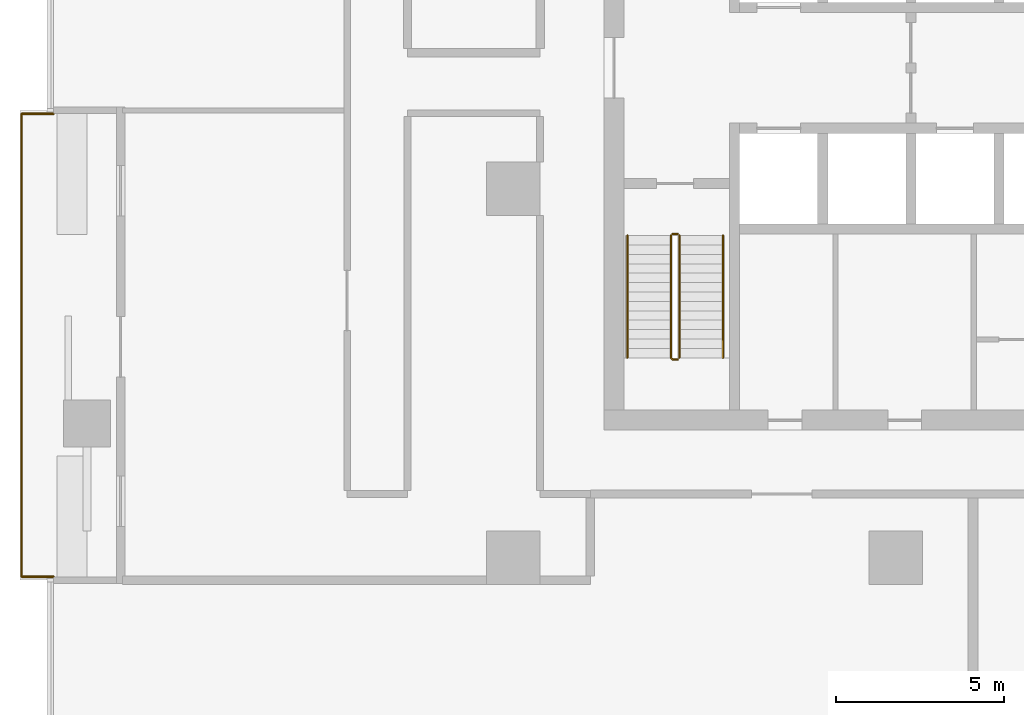
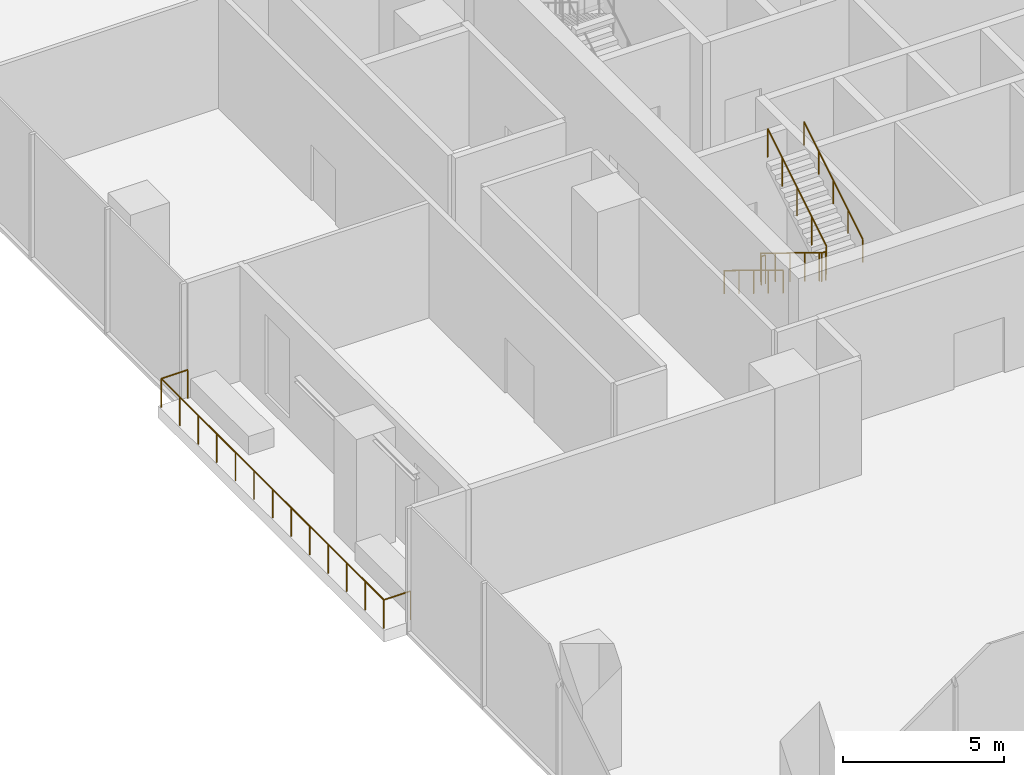
# One storey, part 12 of 14: 6 railings.
"""IFC4 building model written with IfcOpenShell, lengths in metres."""

from ifc_helpers import new_model, si_unit, direction, frame, origin, origin_2d, place, context, subcontext, project, spatial, circle, extrude, material, type_object, element, save


model = new_model("IFC4")

# Units and contexts
model_context = context("Model", 3, precision=1e-05, world=origin(), true_north=direction((0.0, 1.0)))
body_context = subcontext(model_context, "Body", "Model", "MODEL_VIEW")
ifc_project = project(units=[si_unit("LENGTHUNIT", "METRE"), si_unit("AREAUNIT", "SQUARE_METRE"), si_unit("VOLUMEUNIT", "CUBIC_METRE"), si_unit("PLANEANGLEUNIT", "RADIAN"), si_unit("MASSUNIT", "GRAM", prefix="KILO")], contexts=[model_context])

# Site, building, storey
site_placement = place(None, origin())
site = spatial("IfcSite", under=ifc_project, at=site_placement, CompositionType="ELEMENT")
building_placement = place(site_placement, origin())
building = spatial("IfcBuilding", under=site, at=building_placement, Name="Mopane Tessera Tower", CompositionType="ELEMENT")
storey_placement = place(building_placement, frame((0.0, 0.0, 50.199951171875)))
storey = spatial("IfcBuildingStorey", under=building, at=storey_placement, Name="L09", CompositionType="ELEMENT", Elevation=50.199951171875)

# Railings
ifc_material_1 = material(Name="Powder-coated steel balustrade", Category="steel")
railing_type_1 = type_object("IfcRailingType", Name="Escape stair guard 1100 mm", PredefinedType="GUARDRAIL", material=ifc_material_1)
railing_1_placement = place(storey_placement, frame((-12.39990234375, -1.39990234375, 0.17138671875)))
element("IfcRailing", 1, at=railing_1_placement, inside=storey, type_object=railing_type_1, Name="L09 ST1 stair guard 1", PredefinedType="GUARDRAIL", context=body_context, shape_type="SweptSolid", body=[
    extrude(circle(Radius=0.02392578125, at=origin_2d()), frame((0.0, 0.0, 1.076171875), z_axis=(0.0, -0.852840387347, 0.522171689878), x_axis=(1.0, 0.0, 0.0)), (0.0, 0.0, 1.0), 4.268310546875),
    extrude(circle(Radius=0.02392578125, at=origin_2d()), frame((0.0, -3.64013671875, 3.3046875), z_axis=(0.705375805398, -0.708833529934, 0.0), x_axis=(0.708833529934, 0.705375805398, 0.0)), (0.0, 0.0, 1.0), 0.070556640625),
    extrude(circle(Radius=0.02392578125, at=origin_2d()), frame((0.0498046875, -3.690185546875, 3.3046875), z_axis=(1.0, 0.0, 0.0), x_axis=(0.0, 1.0, 0.0)), (0.0, 0.0, 1.0), 0.150146484375),
    extrude(circle(Radius=0.02099609375, at=origin_2d()), origin(), (0.0, 0.0, 1.0), 1.052001953125),
    extrude(circle(Radius=0.02099609375, at=origin_2d()), frame((0.0, -0.91015625, 0.55712890625)), (0.0, 0.0, 1.0), 1.052001953125),
    extrude(circle(Radius=0.02099609375, at=origin_2d()), frame((0.0, -1.820068359375, 1.1142578125)), (0.0, 0.0, 1.0), 1.052001953125),
    extrude(circle(Radius=0.02099609375, at=origin_2d()), frame((0.0, -2.72998046875, 1.671630859375)), (0.0, 0.0, 1.0), 1.052001953125),
    extrude(circle(Radius=0.02099609375, at=origin_2d()), frame((0.0, -3.64013671875, 2.228759765625)), (0.0, 0.0, 1.0), 1.052001953125),
    extrude(circle(Radius=0.02099609375, at=origin_2d()), frame((0.0498046875, -3.690185546875, 2.228759765625)), (0.0, 0.0, 1.0), 1.052001953125),
    extrude(circle(Radius=0.02099609375, at=origin_2d()), frame((0.199951171875, -3.690185546875, 2.228759765625)), (0.0, 0.0, 1.0), 1.052001953125),
])
railing_2_placement = place(storey_placement, frame((-12.14990234375, -5.0400390625, 2.571533203125)))
element("IfcRailing", 2, at=railing_2_placement, inside=storey, type_object=railing_type_1, Name="L09 ST1 stair guard 2", PredefinedType="GUARDRAIL", context=body_context, shape_type="SweptSolid", body=[
    extrude(circle(Radius=0.02392578125, at=origin_2d()), frame((0.0, 0.0, 1.076171875), z_axis=(0.0, 0.852865859571, 0.52213008492), x_axis=(-1.0, 0.0, 0.0)), (0.0, 0.0, 1.0), 4.26806640625),
    extrude(circle(Radius=0.02099609375, at=origin_2d()), origin(), (0.0, 0.0, 1.0), 1.052001953125),
    extrude(circle(Radius=0.02099609375, at=origin_2d()), frame((0.0, 0.91015625, 0.55712890625)), (0.0, 0.0, 1.0), 1.052001953125),
    extrude(circle(Radius=0.02099609375, at=origin_2d()), frame((0.0, 1.820068359375, 1.1142578125)), (0.0, 0.0, 1.0), 1.052001953125),
    extrude(circle(Radius=0.02099609375, at=origin_2d()), frame((0.0, 2.72998046875, 1.67138671875)), (0.0, 0.0, 1.0), 1.052001953125),
    extrude(circle(Radius=0.02099609375, at=origin_2d()), frame((0.0, 3.64013671875, 2.228515625)), (0.0, 0.0, 1.0), 1.052001953125),
])
railing_3_placement = place(storey_placement, frame((-12.35009765625, -1.35009765625, 0.0)))
element("IfcRailing", 3, at=railing_3_placement, inside=storey, type_object=railing_type_1, Name="L09 ST1 stair guard 3", PredefinedType="GUARDRAIL", context=body_context, shape_type="SweptSolid", body=[
    extrude(circle(Radius=0.02392578125, at=origin_2d()), frame((0.0, 0.0, 1.076171875), z_axis=(1.0, 0.0, 0.0), x_axis=(0.0, 1.0, 0.0)), (0.0, 0.0, 1.0), 0.150146484375),
    extrude(circle(Radius=0.02099609375, at=origin_2d()), origin(), (0.0, 0.0, 1.0), 1.052001953125),
    extrude(circle(Radius=0.02099609375, at=origin_2d()), frame((0.150146484375, 0.0, 0.0)), (0.0, 0.0, 1.0), 1.052001953125),
])
ifc_material_2 = material(Name="Powder-coated steel balustrade", Category="steel")
railing_type_2 = type_object("IfcRailingType", Name="Escape stair handrail 900 mm", PredefinedType="HANDRAIL", material=ifc_material_2)
railing_4_placement = place(storey_placement, frame((-13.699951171875, -1.39990234375, 0.17138671875)))
element("IfcRailing", 4, at=railing_4_placement, inside=storey, type_object=railing_type_2, Name="L09 ST1 stair handrail 1", PredefinedType="HANDRAIL", context=body_context, shape_type="SweptSolid", body=[
    extrude(circle(Radius=0.02392578125, at=origin_2d()), frame((0.0, 0.0, 0.8759765625), z_axis=(0.0, -0.852840387347, 0.522171689878), x_axis=(1.0, 0.0, 0.0)), (0.0, 0.0, 1.0), 4.268310546875),
    extrude(circle(Radius=0.02099609375, at=origin_2d()), origin(), (0.0, 0.0, 1.0), 0.851806640625),
    extrude(circle(Radius=0.02099609375, at=origin_2d()), frame((0.0, -0.91015625, 0.55712890625)), (0.0, 0.0, 1.0), 0.851806640625),
    extrude(circle(Radius=0.02099609375, at=origin_2d()), frame((0.0, -1.820068359375, 1.1142578125)), (0.0, 0.0, 1.0), 0.851806640625),
    extrude(circle(Radius=0.02099609375, at=origin_2d()), frame((0.0, -2.72998046875, 1.671630859375)), (0.0, 0.0, 1.0), 0.851806640625),
    extrude(circle(Radius=0.02099609375, at=origin_2d()), frame((0.0, -3.64013671875, 2.228759765625)), (0.0, 0.0, 1.0), 0.851806640625),
])
railing_5_placement = place(storey_placement, frame((-10.85009765625, -5.0400390625, 2.571533203125)))
element("IfcRailing", 5, at=railing_5_placement, inside=storey, type_object=railing_type_2, Name="L09 ST1 stair handrail 2", PredefinedType="HANDRAIL", context=body_context, shape_type="SweptSolid", body=[
    extrude(circle(Radius=0.02392578125, at=origin_2d()), frame((0.0, 0.0, 0.8759765625), z_axis=(0.0, 0.852865859571, 0.52213008492), x_axis=(-1.0, 0.0, 0.0)), (0.0, 0.0, 1.0), 4.26806640625),
    extrude(circle(Radius=0.02099609375, at=origin_2d()), origin(), (0.0, 0.0, 1.0), 0.851806640625),
    extrude(circle(Radius=0.02099609375, at=origin_2d()), frame((0.0, 0.91015625, 0.55712890625)), (0.0, 0.0, 1.0), 0.851806640625),
    extrude(circle(Radius=0.02099609375, at=origin_2d()), frame((0.0, 1.820068359375, 1.1142578125)), (0.0, 0.0, 1.0), 0.851806640625),
    extrude(circle(Radius=0.02099609375, at=origin_2d()), frame((0.0, 2.72998046875, 1.67138671875)), (0.0, 0.0, 1.0), 0.851806640625),
    extrude(circle(Radius=0.02099609375, at=origin_2d()), frame((0.0, 3.64013671875, 2.228515625)), (0.0, 0.0, 1.0), 0.851806640625),
])
ifc_material_3 = material(Name="Stainless steel S316", Category="steel")
railing_type_3 = type_object("IfcRailingType", Name="Terrace guard 1100", PredefinedType="GUARDRAIL", material=ifc_material_3)
railing_6_placement = place(storey_placement, frame((-30.800048828125, 2.2333984375, 0.0)))
element("IfcRailing", 6, at=railing_6_placement, inside=storey, type_object=railing_type_3, Name="e:nw:L09:N3:guard", PredefinedType="GUARDRAIL", context=body_context, shape_type="SweptSolid", body=[
    extrude(circle(Radius=0.02392578125, at=origin_2d()), frame((0.0, 0.0, 1.076171875), z_axis=(-1.0, 0.0, 0.0), x_axis=(0.0, -1.0, 0.0)), (0.0, 0.0, 1.0), 0.949951171875),
    extrude(circle(Radius=0.02392578125, at=origin_2d()), frame((-0.949951171875, 0.0, 1.076171875), z_axis=(0.0, -1.0, 0.0), x_axis=(1.0, 0.0, 0.0)), (0.0, 0.0, 1.0), 13.800048828125),
    extrude(circle(Radius=0.02392578125, at=origin_2d()), frame((-0.949951171875, -13.800048828125, 1.076171875), z_axis=(1.0, 0.0, 0.0), x_axis=(0.0, 1.0, 0.0)), (0.0, 0.0, 1.0), 0.949951171875),
    extrude(circle(Radius=0.02099609375, at=origin_2d()), origin(), (0.0, 0.0, 1.0), 1.052001953125),
    extrude(circle(Radius=0.02099609375, at=origin_2d()), frame((-0.949951171875, 0.0, 0.0)), (0.0, 0.0, 1.0), 1.052001953125),
    extrude(circle(Radius=0.02099609375, at=origin_2d()), frame((-0.949951171875, -1.14990234375, 0.0)), (0.0, 0.0, 1.0), 1.052001953125),
    extrude(circle(Radius=0.02099609375, at=origin_2d()), frame((-0.949951171875, -2.300048828125, 0.0)), (0.0, 0.0, 1.0), 1.052001953125),
    extrude(circle(Radius=0.02099609375, at=origin_2d()), frame((-0.949951171875, -3.449951171875, 0.0)), (0.0, 0.0, 1.0), 1.052001953125),
    extrude(circle(Radius=0.02099609375, at=origin_2d()), frame((-0.949951171875, -4.60009765625, 0.0)), (0.0, 0.0, 1.0), 1.052001953125),
    extrude(circle(Radius=0.02099609375, at=origin_2d()), frame((-0.949951171875, -5.75, 0.0)), (0.0, 0.0, 1.0), 1.052001953125),
    extrude(circle(Radius=0.02099609375, at=origin_2d()), frame((-0.949951171875, -6.89990234375, 0.0)), (0.0, 0.0, 1.0), 1.052001953125),
    extrude(circle(Radius=0.02099609375, at=origin_2d()), frame((-0.949951171875, -8.050048828125, 0.0)), (0.0, 0.0, 1.0), 1.052001953125),
    extrude(circle(Radius=0.02099609375, at=origin_2d()), frame((-0.949951171875, -9.199951171875, 0.0)), (0.0, 0.0, 1.0), 1.052001953125),
    extrude(circle(Radius=0.02099609375, at=origin_2d()), frame((-0.949951171875, -10.35009765625, 0.0)), (0.0, 0.0, 1.0), 1.052001953125),
    extrude(circle(Radius=0.02099609375, at=origin_2d()), frame((-0.949951171875, -11.5, 0.0)), (0.0, 0.0, 1.0), 1.052001953125),
    extrude(circle(Radius=0.02099609375, at=origin_2d()), frame((-0.949951171875, -12.650146484375, 0.0)), (0.0, 0.0, 1.0), 1.052001953125),
    extrude(circle(Radius=0.02099609375, at=origin_2d()), frame((-0.949951171875, -13.800048828125, 0.0)), (0.0, 0.0, 1.0), 1.052001953125),
    extrude(circle(Radius=0.02099609375, at=origin_2d()), frame((0.0, -13.800048828125, 0.0)), (0.0, 0.0, 1.0), 1.052001953125),
])

save(model, "model.ifc")
